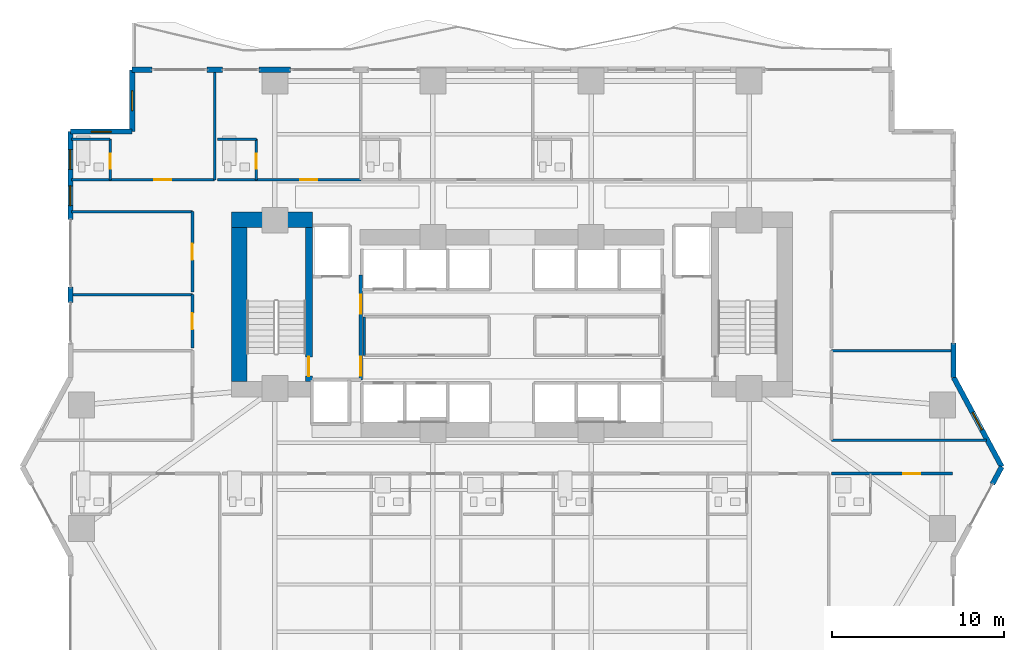
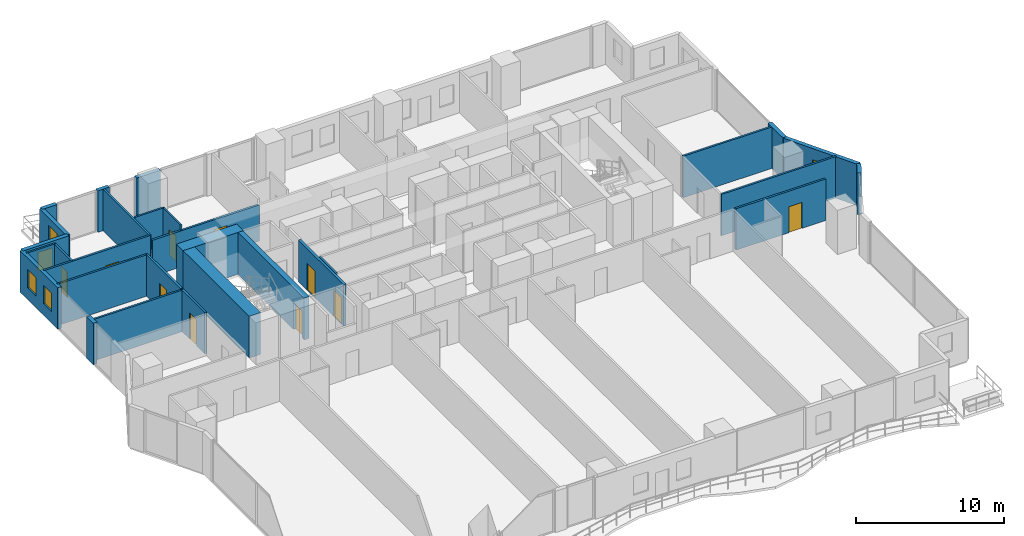
# One storey, part 20 of 29: 29 walls, 10 doors, 5 windows, 15 openings.
"""IFC4 building model written with IfcOpenShell, lengths in metres."""

from ifc_helpers import new_model, si_unit, direction, frame, frame_2d, origin, place, context, subcontext, project, spatial, rectangle, extrude, material, layer, layer_set, type_object, element, fill, save


model = new_model("IFC4")

# Units and contexts
model_context = context("Model", 3, precision=1e-05, world=origin(), true_north=direction((0.0, 1.0)))
body_context = subcontext(model_context, "Body", "Model", "MODEL_VIEW")
ifc_project = project(units=[si_unit("LENGTHUNIT", "METRE"), si_unit("AREAUNIT", "SQUARE_METRE"), si_unit("VOLUMEUNIT", "CUBIC_METRE"), si_unit("PLANEANGLEUNIT", "RADIAN"), si_unit("MASSUNIT", "GRAM", prefix="KILO")], contexts=[model_context])

# Site, building, storey
site_placement = place(None, origin())
site = spatial("IfcSite", under=ifc_project, at=site_placement, CompositionType="ELEMENT")
building_placement = place(site_placement, origin())
building = spatial("IfcBuilding", under=site, at=building_placement, Name="Zuhayl Quay Hotel", CompositionType="ELEMENT")
storey_placement = place(building_placement, frame((0.0, 0.0, 45.85009765625)))
storey = spatial("IfcBuildingStorey", under=building, at=storey_placement, Name="L10", CompositionType="ELEMENT", Elevation=45.85009765625)

# Walls
ifc_material_1 = material(Name="Concrete C70/85", Category="concrete")
ifc_layer_1 = layer(ifc_material_1, 0.89990234375, Name="Concrete C70/85", Category="concrete")
ifc_layer_set_1 = layer_set([ifc_layer_1], Name="Concrete C70/85")
wall_type_1 = type_object("IfcWallType", Name="WL_CORE_900", PredefinedType="SHEAR", material=ifc_layer_set_1)
wall_1_placement = place(storey_placement, frame((-16.31005859375, 14.3798828125, 0.0), z_axis=(0.0, 0.0, 1.0), x_axis=(1.0, 0.0, 0.0)))
element("IfcWall", 1, at=wall_1_placement, inside=storey, type_object=wall_type_1, Name="L10 Core Shear Wall CW_NW", PredefinedType="SHEAR", context=body_context, shape_type="SweptSolid", body=[
    extrude(rectangle(XDim=4.7099609375, YDim=0.89990234375, at=frame_2d((2.35498046875, 0.0))), origin(), (0.0, 0.0, 1.0), 3.4599609375),
])
wall_2_placement = place(storey_placement, frame((-15.860107421875, 4.969970703125, 0.0), z_axis=(0.0, 0.0, 1.0), x_axis=(0.0, 1.0, 0.0)))
element("IfcWall", 2, at=wall_2_placement, inside=storey, type_object=wall_type_1, Name="L10 Core Shear Wall CW_W", PredefinedType="SHEAR", context=body_context, shape_type="SweptSolid", body=[
    extrude(rectangle(XDim=8.9599609375, YDim=0.89990234375, at=frame_2d((4.47998046875, 0.0))), origin(), (0.0, 0.0, 1.0), 3.4599609375),
])
ifc_material_2 = material(Name="Precast concrete C45/55", Category="concrete")
ifc_layer_2 = layer(ifc_material_2, 0.300048828125, Name="Precast concrete C45/55", Category="concrete")
ifc_layer_set_2 = layer_set([ifc_layer_2], Name="Precast concrete C45/55")
wall_type_2 = type_object("IfcWallType", Name="WL_EXT_300", PredefinedType="STANDARD", material=ifc_layer_set_2)
wall_3_placement = place(storey_placement, frame((-25.699951171875, 9.570068359375, 0.0), z_axis=(0.0, 0.0, 1.0), x_axis=(0.0, 1.0, 0.0)))
element("IfcWall", 3, at=wall_3_placement, inside=storey, type_object=wall_type_2, Name="L10 Exterior Precast Wall ENV_L10_E05_EW2", PredefinedType="STANDARD", context=body_context, shape_type="SweptSolid", body=[
    extrude(rectangle(XDim=0.89990234375, YDim=0.300048828125, at=frame_2d((0.449951171875, 0.0))), origin(), (0.0, 0.0, 1.0), 3.429931640625),
])

# Wall, openings, windows
wall_4_placement = place(storey_placement, frame((-25.699951171875, 14.39990234375, 0.0), z_axis=(0.0, 0.0, 1.0), x_axis=(0.0, 1.0, 0.0)))
wall_4 = element("IfcWall", 4, at=wall_4_placement, inside=storey, type_object=wall_type_2, Name="L10 Exterior Precast Wall ENV_L10_E05_EW3", PredefinedType="STANDARD", context=body_context, shape_type="SweptSolid", body=[
    extrude(rectangle(XDim=5.10009765625, YDim=0.300048828125, at=frame_2d((2.550048828125, 0.0))), origin(), (0.0, 0.0, 1.0), 3.429931640625),
])
opening_1_placement = place(wall_4_placement, frame((0.800048828125, 0.0, 0.949951171875)))
opening_1 = element("IfcOpeningElement", 5, at=opening_1_placement, cuts=wall_4, Name="Opening W01N", PredefinedType="OPENING", context=body_context, shape_type="SweptSolid", body=[
    extrude(rectangle(XDim=1.14990234375, YDim=1.550048828125, at=frame_2d((0.574951171875, 0.77490234375))), frame((0.0, 0.159912109375, 0.0), z_axis=(0.0, -1.0, 0.0), x_axis=(1.0, 0.0, 0.0)), (0.0, 0.0, 1.0), 0.320068359375),
])
opening_2_placement = place(wall_4_placement, frame((2.905029296875, 0.0, 0.949951171875)))
opening_2 = element("IfcOpeningElement", 6, at=opening_2_placement, cuts=wall_4, Name="Opening W01N", PredefinedType="OPENING", context=body_context, shape_type="SweptSolid", body=[
    extrude(rectangle(XDim=1.14990234375, YDim=1.550048828125, at=frame_2d((0.574951171875, 0.77490234375))), frame((0.0, 0.159912109375, 0.0), z_axis=(0.0, -1.0, 0.0), x_axis=(1.0, 0.0, 0.0)), (0.0, 0.0, 1.0), 0.320068359375),
])
ifc_material_3 = material(Name="Dark Ceramic-Fritted Solar Glass", Category="glass")
window_type = type_object("IfcWindowType", Name="WN_NOTCH_1350", PartitioningType="SINGLE_PANEL", PredefinedType="WINDOW", material=ifc_material_3)
window_1_placement = place(opening_1_placement, origin())
window_1 = element("IfcWindow", 7, at=window_1_placement, inside=storey, type_object=window_type, Name="L10 Operable Facade Window 3-1", OverallHeight=1.550048828125, OverallWidth=1.14990234375, PartitioningType="SINGLE_PANEL", PredefinedType="WINDOW", context=body_context, shape_type="SweptSolid", body=[
    extrude(rectangle(XDim=1.14990234375, YDim=1.550048828125, at=frame_2d((0.574951171875, 0.77490234375))), frame((0.0, 0.030029296875, 0.0), z_axis=(0.0, -1.0, 0.0), x_axis=(1.0, 0.0, 0.0)), (0.0, 0.0, 1.0), 0.06005859375),
])
fill(opening_1, window_1)
window_2_placement = place(opening_2_placement, origin())
window_2 = element("IfcWindow", 8, at=window_2_placement, inside=storey, type_object=window_type, Name="L10 Operable Facade Window 3-2", OverallHeight=1.550048828125, OverallWidth=1.14990234375, PartitioningType="SINGLE_PANEL", PredefinedType="WINDOW", context=body_context, shape_type="SweptSolid", body=[
    extrude(rectangle(XDim=1.14990234375, YDim=1.550048828125, at=frame_2d((0.574951171875, 0.77490234375))), frame((0.0, 0.030029296875, 0.0), z_axis=(0.0, -1.0, 0.0), x_axis=(1.0, 0.0, 0.0)), (0.0, 0.0, 1.0), 0.06005859375),
])
fill(opening_2, window_2)

# Wall, opening, window
wall_5_placement = place(storey_placement, frame((-25.699951171875, 19.5, 0.0), z_axis=(0.0, 0.0, 1.0), x_axis=(1.0, 0.0, 0.0)))
wall_5 = element("IfcWall", 9, at=wall_5_placement, inside=storey, type_object=wall_type_2, Name="L10 Exterior Precast Wall ENV_L10_EW06", PredefinedType="STANDARD", context=body_context, shape_type="SweptSolid", body=[
    extrude(rectangle(XDim=3.599853515625, YDim=0.300048828125, at=frame_2d((1.7998046875, 0.0))), origin(), (0.0, 0.0, 1.0), 3.429931640625),
])
opening_3_placement = place(wall_5_placement, frame((1.22509765625, 0.0, 1.25)))
opening_3 = element("IfcOpeningElement", 10, at=opening_3_placement, cuts=wall_5, Name="Opening W01N", PredefinedType="OPENING", context=body_context, shape_type="SweptSolid", body=[
    extrude(rectangle(XDim=1.14990234375, YDim=1.550048828125, at=frame_2d((0.574951171875, 0.77490234375))), frame((0.0, 0.159912109375, 0.0), z_axis=(0.0, -1.0, 0.0), x_axis=(1.0, 0.0, 0.0)), (0.0, 0.0, 1.0), 0.320068359375),
])
window_3_placement = place(opening_3_placement, origin())
window_3 = element("IfcWindow", 11, at=window_3_placement, inside=storey, type_object=window_type, Name="L10 Corner Notch Window 6", OverallHeight=1.550048828125, OverallWidth=1.14990234375, PartitioningType="SINGLE_PANEL", PredefinedType="WINDOW", context=body_context, shape_type="SweptSolid", body=[
    extrude(rectangle(XDim=1.14990234375, YDim=1.550048828125, at=frame_2d((0.574951171875, 0.77490234375))), frame((0.0, 0.030029296875, 0.0), z_axis=(0.0, -1.0, 0.0), x_axis=(1.0, 0.0, 0.0)), (0.0, 0.0, 1.0), 0.06005859375),
])
fill(opening_3, window_3)

wall_6_placement = place(storey_placement, frame((-22.10009765625, 19.5, 0.0), z_axis=(0.0, 0.0, 1.0), x_axis=(0.0, 1.0, 0.0)))
wall_6 = element("IfcWall", 12, at=wall_6_placement, inside=storey, type_object=wall_type_2, Name="L10 Exterior Precast Wall ENV_L10_EW07", PredefinedType="STANDARD", context=body_context, shape_type="SweptSolid", body=[
    extrude(rectangle(XDim=3.60009765625, YDim=0.300048828125, at=frame_2d((1.800048828125, 0.0))), origin(), (0.0, 0.0, 1.0), 3.429931640625),
])
opening_4_placement = place(wall_6_placement, frame((1.22509765625, 0.0, 1.25)))
opening_4 = element("IfcOpeningElement", 13, at=opening_4_placement, cuts=wall_6, Name="Opening W01N", PredefinedType="OPENING", context=body_context, shape_type="SweptSolid", body=[
    extrude(rectangle(XDim=1.14990234375, YDim=1.550048828125, at=frame_2d((0.574951171875, 0.77490234375))), frame((0.0, 0.159912109375, 0.0), z_axis=(0.0, -1.0, 0.0), x_axis=(1.0, 0.0, 0.0)), (0.0, 0.0, 1.0), 0.320068359375),
])
window_4_placement = place(opening_4_placement, origin())
window_4 = element("IfcWindow", 14, at=window_4_placement, inside=storey, type_object=window_type, Name="L10 Corner Notch Window 7", OverallHeight=1.550048828125, OverallWidth=1.14990234375, PartitioningType="SINGLE_PANEL", PredefinedType="WINDOW", context=body_context, shape_type="SweptSolid", body=[
    extrude(rectangle(XDim=1.14990234375, YDim=1.550048828125, at=frame_2d((0.574951171875, 0.77490234375))), frame((0.0, 0.030029296875, 0.0), z_axis=(0.0, -1.0, 0.0), x_axis=(1.0, 0.0, 0.0)), (0.0, 0.0, 1.0), 0.06005859375),
])
fill(opening_4, window_4)

# Walls
wall_7_placement = place(storey_placement, frame((-22.10009765625, 23.10009765625, 0.0), z_axis=(0.0, 0.0, 1.0), x_axis=(1.0, 0.0, 0.0)))
element("IfcWall", 15, at=wall_7_placement, inside=storey, type_object=wall_type_2, Name="L10 Exterior Precast Wall ENV_L10_N_EW1", PredefinedType="STANDARD", context=body_context, shape_type="SweptSolid", body=[
    extrude(rectangle(XDim=1.150146484375, YDim=0.300048828125, at=frame_2d((0.5751953125, 0.0))), origin(), (0.0, 0.0, 1.0), 3.429931640625),
])
wall_8_placement = place(storey_placement, frame((-17.75, 23.10009765625, 0.0), z_axis=(0.0, 0.0, 1.0), x_axis=(1.0, 0.0, 0.0)))
element("IfcWall", 16, at=wall_8_placement, inside=storey, type_object=wall_type_2, Name="L10 Exterior Precast Wall ENV_L10_N_EW2", PredefinedType="STANDARD", context=body_context, shape_type="SweptSolid", body=[
    extrude(rectangle(XDim=0.89990234375, YDim=0.300048828125, at=frame_2d((0.449951171875, 0.0))), origin(), (0.0, 0.0, 1.0), 3.429931640625),
])
wall_9_placement = place(storey_placement, frame((-14.719970703125, 23.10009765625, 0.0), z_axis=(0.0, 0.0, 1.0), x_axis=(1.0, 0.0, 0.0)))
element("IfcWall", 17, at=wall_9_placement, inside=storey, type_object=wall_type_2, Name="L10 Exterior Precast Wall ENV_L10_N_EW3", PredefinedType="STANDARD", context=body_context, shape_type="SweptSolid", body=[
    extrude(rectangle(XDim=1.840087890625, YDim=0.300048828125, at=frame_2d((0.919921875, 0.0))), origin(), (0.0, 0.0, 1.0), 3.429931640625),
])
wall_10_placement = place(storey_placement, frame((25.699951171875, 7.199951171875, 0.0), z_axis=(0.0, 0.0, 1.0), x_axis=(0.0, -1.0, 0.0)))
element("IfcWall", 18, at=wall_10_placement, inside=storey, type_object=wall_type_2, Name="L10 Exterior Precast Wall ENV_L10_E11_EW2", PredefinedType="STANDARD", context=body_context, shape_type="SweptSolid", body=[
    extrude(rectangle(XDim=2.0, YDim=0.300048828125, at=frame_2d((1.0, 0.0))), origin(), (0.0, 0.0, 1.0), 3.429931640625),
])

# Wall, opening, window
wall_11_placement = place(storey_placement, frame((25.699951171875, 5.199951171875, 0.0), z_axis=(0.0, 0.0, 1.0), x_axis=(0.474109683532, -0.880465790352, 0.0)))
wall_11 = element("IfcWall", 19, at=wall_11_placement, inside=storey, type_object=wall_type_2, Name="L10 Exterior Precast Wall ENV_L10_E12_EW1", PredefinedType="STANDARD", context=body_context, shape_type="SweptSolid", body=[
    extrude(rectangle(XDim=5.906005859375, YDim=0.300048828125, at=frame_2d((2.953125, 0.0))), origin(), (0.0, 0.0, 1.0), 3.429931640625),
])
opening_5_placement = place(wall_11_placement, frame((2.32373046875, 0.0, 0.949951171875)))
opening_5 = element("IfcOpeningElement", 20, at=opening_5_placement, cuts=wall_11, Name="Opening W01N", PredefinedType="OPENING", context=body_context, shape_type="SweptSolid", body=[
    extrude(rectangle(XDim=1.14990234375, YDim=1.550048828125, at=frame_2d((0.574951171875, 0.77490234375))), frame((0.0, 0.159912109375, 0.0), z_axis=(0.0, -1.0, 0.0), x_axis=(1.0, 0.0, 0.0)), (0.0, 0.0, 1.0), 0.320068359375),
])
window_5_placement = place(opening_5_placement, origin())
window_5 = element("IfcWindow", 21, at=window_5_placement, inside=storey, type_object=window_type, Name="L10 Operable Facade Window 1-1", OverallHeight=1.550048828125, OverallWidth=1.14990234375, PartitioningType="SINGLE_PANEL", PredefinedType="WINDOW", context=body_context, shape_type="SweptSolid", body=[
    extrude(rectangle(XDim=1.14990234375, YDim=1.550048828125, at=frame_2d((0.574951171875, 0.77490234375))), frame((0.0, 0.030029296875, 0.0), z_axis=(0.0, -1.0, 0.0), x_axis=(1.0, 0.0, 0.0)), (0.0, 0.0, 1.0), 0.06005859375),
])
fill(opening_5, window_5)

# Walls
wall_12_placement = place(storey_placement, frame((28.5, 0.0, 0.0), z_axis=(0.0, 0.0, 1.0), x_axis=(-0.474099823035, -0.880471099922, 0.0)))
element("IfcWall", 22, at=wall_12_placement, inside=storey, type_object=wall_type_2, Name="L10 Exterior Precast Wall ENV_L10_E13_EW1", PredefinedType="STANDARD", context=body_context, shape_type="SweptSolid", body=[
    extrude(rectangle(XDim=1.14990234375, YDim=0.300048828125, at=frame_2d((0.574951171875, 0.0))), origin(), (0.0, 0.0, 1.0), 3.429931640625),
])
ifc_material_4 = material(Name="Acoustic Gypsum Partition STC-58")
ifc_layer_3 = layer(ifc_material_4, 0.14990234375, Name="Acoustic Gypsum Partition STC-58")
ifc_layer_set_3 = layer_set([ifc_layer_3], Name="Acoustic Gypsum Partition STC-58")
wall_type_3 = type_object("IfcWallType", Name="WL_PART_150", PredefinedType="PARTITIONING", material=ifc_layer_set_3)
wall_13_placement = place(storey_placement, frame((-8.610107421875, 6.47998046875, 0.0), z_axis=(0.0, 0.0, 1.0), x_axis=(0.0, 1.0, 0.0)))
element("IfcWall", 23, at=wall_13_placement, inside=storey, type_object=wall_type_3, Name="L10 Partition IW_L10_CORE_EL_W", PredefinedType="PARTITIONING", context=body_context, shape_type="SweptSolid", body=[
    extrude(rectangle(XDim=2.239990234375, YDim=0.14990234375, at=frame_2d((1.1201171875, 0.0))), origin(), (0.0, 0.0, 1.0), 3.429931640625),
])
wall_14_placement = place(storey_placement, frame((-17.300048828125, 16.699951171875, 0.0), z_axis=(0.0, 0.0, 1.0), x_axis=(0.0, 1.0, 0.0)))
element("IfcWall", 24, at=wall_14_placement, inside=storey, type_object=wall_type_3, Name="L10 Partition IW_L10_NU01A_E", PredefinedType="PARTITIONING", context=body_context, shape_type="SweptSolid", body=[
    extrude(rectangle(XDim=6.320068359375, YDim=0.14990234375, at=frame_2d((3.16015625, 0.0))), origin(), (0.0, 0.0, 1.0), 3.429931640625),
])
wall_15_placement = place(storey_placement, frame((18.60009765625, 1.550048828125, 0.0), z_axis=(0.0, 0.0, 1.0), x_axis=(1.0, 0.0, 0.0)))
element("IfcWall", 25, at=wall_15_placement, inside=storey, type_object=wall_type_3, Name="L10 Partition IW_L10_HK_MAIN_S", PredefinedType="PARTITIONING", context=body_context, shape_type="SweptSolid", body=[
    extrude(rectangle(XDim=9.00537109375, YDim=0.14990234375, at=frame_2d((4.502685546875, 0.0))), origin(), (0.0, 0.0, 1.0), 3.429931640625),
])
for number, where, z_axis, x_axis, name in (
    (26, (18.60009765625, 6.75, 0.0), (0.0, 0.0, 1.0), (1.0, 0.0, 0.0), "L10 Partition IW_L10_HK_MAIN_N"),
    (27, (-25.639892578125, 10.02001953125, 0.0), (0.0, 0.0, 1.0), (1.0, 0.0, 0.0), "L10 Partition IW_L10_WPROW_2_N"),
    (28, (-25.639892578125, 14.85009765625, 0.0), (0.0, 0.0, 1.0), (1.0, 0.0, 0.0), "L10 Partition IW_L10_WPROW_3_N"),
):
    element("IfcWall", number, at=place(storey_placement, frame(where, z_axis=z_axis, x_axis=x_axis)), inside=storey, type_object=wall_type_3, Name=name, PredefinedType="PARTITIONING", context=body_context, shape_type="SweptSolid", body=[
        extrude(rectangle(XDim=7.039794921875, YDim=0.14990234375, at=frame_2d((3.52001953125, 0.0))), origin(), (0.0, 0.0, 1.0), 3.429931640625),
    ])

# Wall, opening, door
ifc_layer_4 = layer(ifc_material_4, 0.159912109375, Name="Acoustic Gypsum Partition STC-58")
ifc_layer_set_4 = layer_set([ifc_layer_4], Name="Acoustic Gypsum Partition STC-58")
wall_type_4 = type_object("IfcWallType", Name="WL_PART_CORR_160", PredefinedType="PARTITIONING", material=ifc_layer_set_4)
wall_16_placement = place(storey_placement, frame((-25.639892578125, 16.699951171875, 0.0), z_axis=(0.0, 0.0, 1.0), x_axis=(1.0, 0.0, 0.0)))
wall_16 = element("IfcWall", 29, at=wall_16_placement, inside=storey, type_object=wall_type_4, Name="L10 Partition IW_L10_NU01A_COR", PredefinedType="PARTITIONING", context=body_context, shape_type="SweptSolid", body=[
    extrude(rectangle(XDim=8.33984375, YDim=0.159912109375, at=frame_2d((4.169921875, 0.0))), origin(), (0.0, 0.0, 1.0), 3.429931640625),
])
opening_6_placement = place(wall_16_placement, frame((4.820068359375, 0.0, 0.0)))
opening_6 = element("IfcOpeningElement", 30, at=opening_6_placement, cuts=wall_16, Name="Opening D03L", PredefinedType="OPENING", context=body_context, shape_type="SweptSolid", body=[
    extrude(rectangle(XDim=1.0, YDim=2.14990234375, at=frame_2d((0.5, 1.074951171875))), frame((0.0, 0.08984375, 0.0), z_axis=(0.0, -1.0, 0.0), x_axis=(1.0, 0.0, 0.0)), (0.0, 0.0, 1.0), 0.179931640625),
])
ifc_material_5 = material(Name="Solid Walnut Acoustic Fire Door")
door_type_1 = type_object("IfcDoorType", Name="DR_SUITE_1000", OperationType="NOTDEFINED", PredefinedType="DOOR", material=ifc_material_5)
door_1_placement = place(opening_6_placement, origin())
door_1 = element("IfcDoor", 31, at=door_1_placement, inside=storey, type_object=door_type_1, Name="L10 Deluxe Gulf Guest Room L10-01A Entrance Door", OperationType="SINGLE_SWING_LEFT", OverallHeight=2.14990234375, OverallWidth=1.0, PredefinedType="DOOR", context=body_context, shape_type="SweptSolid", body=[
    extrude(rectangle(XDim=1.0, YDim=2.14990234375, at=frame_2d((0.5, 1.074951171875))), frame((0.0, 0.02490234375, 0.0), z_axis=(0.0, -1.0, 0.0), x_axis=(1.0, 0.0, 0.0)), (0.0, 0.0, 1.0), 0.050048828125),
])
fill(opening_6, door_1)

wall_17_placement = place(storey_placement, frame((-17.139892578125, 16.699951171875, 0.0), z_axis=(0.0, 0.0, 1.0), x_axis=(1.0, 0.0, 0.0)))
wall_17 = element("IfcWall", 32, at=wall_17_placement, inside=storey, type_object=wall_type_4, Name="L10 Partition IW_L10_NU01B_COR", PredefinedType="PARTITIONING", context=body_context, shape_type="SweptSolid", body=[
    extrude(rectangle(XDim=8.33984375, YDim=0.159912109375, at=frame_2d((4.169921875, 0.0))), origin(), (0.0, 0.0, 1.0), 2.972900390625),
])
opening_7_placement = place(wall_17_placement, frame((4.820068359375, 0.0, 0.0)))
opening_7 = element("IfcOpeningElement", 33, at=opening_7_placement, cuts=wall_17, Name="Opening D03L", PredefinedType="OPENING", context=body_context, shape_type="SweptSolid", body=[
    extrude(rectangle(XDim=1.0, YDim=2.14990234375, at=frame_2d((0.5, 1.074951171875))), frame((0.0, 0.08984375, 0.0), z_axis=(0.0, -1.0, 0.0), x_axis=(1.0, 0.0, 0.0)), (0.0, 0.0, 1.0), 0.179931640625),
])
door_2_placement = place(opening_7_placement, origin())
door_2 = element("IfcDoor", 34, at=door_2_placement, inside=storey, type_object=door_type_1, Name="L10 Deluxe Gulf Guest Room L10-01B Entrance Door", OperationType="SINGLE_SWING_LEFT", OverallHeight=2.14990234375, OverallWidth=1.0, PredefinedType="DOOR", context=body_context, shape_type="SweptSolid", body=[
    extrude(rectangle(XDim=1.0, YDim=2.14990234375, at=frame_2d((0.5, 1.074951171875))), frame((0.0, 0.02490234375, 0.0), z_axis=(0.0, -1.0, 0.0), x_axis=(1.0, 0.0, 0.0)), (0.0, 0.0, 1.0), 0.050048828125),
])
fill(opening_7, door_2)

wall_18_placement = place(storey_placement, frame((18.60009765625, -0.39990234375, 0.0), z_axis=(0.0, 0.0, 1.0), x_axis=(1.0, 0.0, 0.0)))
wall_18 = element("IfcWall", 35, at=wall_18_placement, inside=storey, type_object=wall_type_4, Name="L10 Partition IW_L10_SU04B_COR", PredefinedType="PARTITIONING", context=body_context, shape_type="SweptSolid", body=[
    extrude(rectangle(XDim=7.039794921875, YDim=0.159912109375, at=frame_2d((3.52001953125, 0.0))), origin(), (0.0, 0.0, 1.0), 3.429931640625),
])
opening_8_placement = place(wall_18_placement, frame((4.169921875, 0.0, 0.0)))
opening_8 = element("IfcOpeningElement", 36, at=opening_8_placement, cuts=wall_18, Name="Opening D03L", PredefinedType="OPENING", context=body_context, shape_type="SweptSolid", body=[
    extrude(rectangle(XDim=1.0, YDim=2.14990234375, at=frame_2d((0.5, 1.074951171875))), frame((0.0, 0.08984375, 0.0), z_axis=(0.0, -1.0, 0.0), x_axis=(1.0, 0.0, 0.0)), (0.0, 0.0, 1.0), 0.179931640625),
])
door_3_placement = place(opening_8_placement, origin())
door_3 = element("IfcDoor", 37, at=door_3_placement, inside=storey, type_object=door_type_1, Name="L10 City-View Junior Suite L10-04B Entrance Door", OperationType="SINGLE_SWING_RIGHT", OverallHeight=2.14990234375, OverallWidth=1.0, PredefinedType="DOOR", context=body_context, shape_type="SweptSolid", body=[
    extrude(rectangle(XDim=1.0, YDim=2.14990234375, at=frame_2d((0.5, 1.074951171875))), frame((0.0, 0.02490234375, 0.0), z_axis=(0.0, -1.0, 0.0), x_axis=(1.0, 0.0, 0.0)), (0.0, 0.0, 1.0), 0.050048828125),
])
fill(opening_8, door_3)

wall_19_placement = place(storey_placement, frame((-18.60009765625, 6.909912109375, 0.0), z_axis=(0.0, 0.0, 1.0), x_axis=(0.0, 1.0, 0.0)))
wall_19 = element("IfcWall", 38, at=wall_19_placement, inside=storey, type_object=wall_type_4, Name="L10 Partition IW_L10_WPROW_2_E", PredefinedType="PARTITIONING", context=body_context, shape_type="SweptSolid", body=[
    extrude(rectangle(XDim=3.110107421875, YDim=0.159912109375, at=frame_2d((1.55517578125, 0.0))), origin(), (0.0, 0.0, 1.0), 3.429931640625),
])
opening_9_placement = place(wall_19_placement, frame((1.080078125, 0.0, 0.0)))
opening_9 = element("IfcOpeningElement", 39, at=opening_9_placement, cuts=wall_19, Name="Opening D03", PredefinedType="OPENING", context=body_context, shape_type="SweptSolid", body=[
    extrude(rectangle(XDim=0.949951171875, YDim=2.14990234375, at=frame_2d((0.47509765625, 1.074951171875))), frame((0.0, 0.08984375, 0.0), z_axis=(0.0, -1.0, 0.0), x_axis=(1.0, 0.0, 0.0)), (0.0, 0.0, 1.0), 0.179931640625),
])
door_type_2 = type_object("IfcDoorType", Name="DR_SUITE_950", OperationType="NOTDEFINED", PredefinedType="DOOR", material=ifc_material_5)
door_4_placement = place(opening_9_placement, origin())
door_4 = element("IfcDoor", 40, at=door_4_placement, inside=storey, type_object=door_type_2, Name="L10 Sunset Tea Salon L10 Door", OperationType="SINGLE_SWING_RIGHT", OverallHeight=2.14990234375, OverallWidth=0.949951171875, PredefinedType="DOOR", context=body_context, shape_type="SweptSolid", body=[
    extrude(rectangle(XDim=0.949951171875, YDim=2.14990234375, at=frame_2d((0.47509765625, 1.074951171875))), frame((0.0, 0.02490234375, 0.0), z_axis=(0.0, -1.0, 0.0), x_axis=(1.0, 0.0, 0.0)), (0.0, 0.0, 1.0), 0.050048828125),
])
fill(opening_9, door_4)

wall_20_placement = place(storey_placement, frame((-18.60009765625, 10.179931640625, 0.0), z_axis=(0.0, 0.0, 1.0), x_axis=(0.0, 1.0, 0.0)))
wall_20 = element("IfcWall", 41, at=wall_20_placement, inside=storey, type_object=wall_type_4, Name="L10 Partition IW_L10_WPROW_3_E", PredefinedType="PARTITIONING", context=body_context, shape_type="SweptSolid", body=[
    extrude(rectangle(XDim=4.670166015625, YDim=0.159912109375, at=frame_2d((2.3349609375, 0.0))), origin(), (0.0, 0.0, 1.0), 3.429931640625),
])
opening_10_placement = place(wall_20_placement, frame((1.860107421875, 0.0, 0.0)))
opening_10 = element("IfcOpeningElement", 42, at=opening_10_placement, cuts=wall_20, Name="Opening D03", PredefinedType="OPENING", context=body_context, shape_type="SweptSolid", body=[
    extrude(rectangle(XDim=0.949951171875, YDim=2.14990234375, at=frame_2d((0.47509765625, 1.074951171875))), frame((0.0, 0.08984375, 0.0), z_axis=(0.0, -1.0, 0.0), x_axis=(1.0, 0.0, 0.0)), (0.0, 0.0, 1.0), 0.179931640625),
])
door_5_placement = place(opening_10_placement, origin())
door_5 = element("IfcDoor", 43, at=door_5_placement, inside=storey, type_object=door_type_2, Name="L10 West Horizon Salon L10 Door", OperationType="SINGLE_SWING_LEFT", OverallHeight=2.14990234375, OverallWidth=0.949951171875, PredefinedType="DOOR", context=body_context, shape_type="SweptSolid", body=[
    extrude(rectangle(XDim=0.949951171875, YDim=2.14990234375, at=frame_2d((0.47509765625, 1.074951171875))), frame((0.0, 0.02490234375, 0.0), z_axis=(0.0, -1.0, 0.0), x_axis=(1.0, 0.0, 0.0)), (0.0, 0.0, 1.0), 0.050048828125),
])
fill(opening_10, door_5)

ifc_material_6 = material(Name="Moisture-Resistant Sanitarychase Gypsum")
ifc_layer_5 = layer(ifc_material_6, 0.135009765625, Name="Moisture-Resistant Sanitarychase Gypsum")
ifc_layer_set_5 = layer_set([ifc_layer_5], Name="Moisture-Resistant Sanitarychase Gypsum")
wall_type_5 = type_object("IfcWallType", Name="WL_PART_PLUMB_150", PredefinedType="PLUMBINGWALL", material=ifc_layer_set_5)
wall_21_placement = place(storey_placement, frame((-23.3798828125, 16.699951171875, 0.0), z_axis=(0.0, 0.0, 1.0), x_axis=(0.0, 1.0, 0.0)))
wall_21 = element("IfcWall", 44, at=wall_21_placement, inside=storey, type_object=wall_type_5, Name="L10 Partition IW_L10_NU01A_BE", PredefinedType="PLUMBINGWALL", context=body_context, shape_type="SweptSolid", body=[
    extrude(rectangle(XDim=2.360107421875, YDim=0.135009765625, at=frame_2d((1.18017578125, 0.0))), origin(), (0.0, 0.0, 1.0), 3.429931640625),
])
opening_11_placement = place(wall_21_placement, frame((0.64990234375, 0.0, 0.0)))
opening_11 = element("IfcOpeningElement", 45, at=opening_11_placement, cuts=wall_21, Name="Opening D04", PredefinedType="OPENING", context=body_context, shape_type="SweptSolid", body=[
    extrude(rectangle(XDim=0.85009765625, YDim=2.10009765625, at=frame_2d((0.425048828125, 1.050048828125))), frame((0.0, 0.077392578125, 0.0), z_axis=(0.0, -1.0, 0.0), x_axis=(1.0, 0.0, 0.0)), (0.0, 0.0, 1.0), 0.155029296875),
])
ifc_material_7 = material(Name="Moisture-Resistant Walnut Veneer")
door_type_3 = type_object("IfcDoorType", Name="DR_BATH_850", OperationType="NOTDEFINED", PredefinedType="DOOR", material=ifc_material_7)
door_6_placement = place(opening_11_placement, origin())
door_6 = element("IfcDoor", 46, at=door_6_placement, inside=storey, type_object=door_type_3, Name="L10 Deluxe Gulf Guest Room L10-01A En-Suite Door", OperationType="SINGLE_SWING_RIGHT", OverallHeight=2.10009765625, OverallWidth=0.85009765625, PredefinedType="DOOR", context=body_context, shape_type="SweptSolid", body=[
    extrude(rectangle(XDim=0.85009765625, YDim=2.10009765625, at=frame_2d((0.425048828125, 1.050048828125))), frame((0.0, 0.02490234375, 0.0), z_axis=(0.0, -1.0, 0.0), x_axis=(1.0, 0.0, 0.0)), (0.0, 0.0, 1.0), 0.050048828125),
])
fill(opening_11, door_6)

wall_22_placement = place(storey_placement, frame((-14.8798828125, 16.699951171875, 0.0), z_axis=(0.0, 0.0, 1.0), x_axis=(0.0, 1.0, 0.0)))
wall_22 = element("IfcWall", 47, at=wall_22_placement, inside=storey, type_object=wall_type_5, Name="L10 Partition IW_L10_NU01B_BE", PredefinedType="PLUMBINGWALL", context=body_context, shape_type="SweptSolid", body=[
    extrude(rectangle(XDim=2.360107421875, YDim=0.135009765625, at=frame_2d((1.18017578125, 0.0))), origin(), (0.0, 0.0, 1.0), 3.429931640625),
])
opening_12_placement = place(wall_22_placement, frame((0.64990234375, 0.0, 0.0)))
opening_12 = element("IfcOpeningElement", 48, at=opening_12_placement, cuts=wall_22, Name="Opening D04", PredefinedType="OPENING", context=body_context, shape_type="SweptSolid", body=[
    extrude(rectangle(XDim=0.85009765625, YDim=2.10009765625, at=frame_2d((0.425048828125, 1.050048828125))), frame((0.0, 0.077392578125, 0.0), z_axis=(0.0, -1.0, 0.0), x_axis=(1.0, 0.0, 0.0)), (0.0, 0.0, 1.0), 0.155029296875),
])
door_7_placement = place(opening_12_placement, origin())
door_7 = element("IfcDoor", 49, at=door_7_placement, inside=storey, type_object=door_type_3, Name="L10 Deluxe Gulf Guest Room L10-01B En-Suite Door", OperationType="SINGLE_SWING_RIGHT", OverallHeight=2.10009765625, OverallWidth=0.85009765625, PredefinedType="DOOR", context=body_context, shape_type="SweptSolid", body=[
    extrude(rectangle(XDim=0.85009765625, YDim=2.10009765625, at=frame_2d((0.425048828125, 1.050048828125))), frame((0.0, 0.02490234375, 0.0), z_axis=(0.0, -1.0, 0.0), x_axis=(1.0, 0.0, 0.0)), (0.0, 0.0, 1.0), 0.050048828125),
])
fill(opening_12, door_7)

# Walls
for number, where, z_axis, x_axis, name in (
    (50, (-25.639892578125, 19.06005859375, 0.0), (0.0, 0.0, 1.0), (1.0, 0.0, 0.0), "L10 Partition IW_L10_NU01A_BN"),
    (51, (-17.139892578125, 19.06005859375, 0.0), (0.0, 0.0, 1.0), (1.0, 0.0, 0.0), "L10 Partition IW_L10_NU01B_BN"),
):
    element("IfcWall", number, at=place(storey_placement, frame(where, z_axis=z_axis, x_axis=x_axis)), inside=storey, type_object=wall_type_5, Name=name, PredefinedType="PLUMBINGWALL", context=body_context, shape_type="SweptSolid", body=[
        extrude(rectangle(XDim=2.260009765625, YDim=0.135009765625, at=frame_2d((1.1298828125, 0.0))), origin(), (0.0, 0.0, 1.0), 3.429931640625),
    ])

# Wall, openings, doors
ifc_material_8 = material(Name="Gypsum Fireboard Assembly EI-120")
ifc_layer_6 = layer(ifc_material_8, 0.199951171875, Name="Gypsum Fireboard Assembly EI-120")
ifc_layer_set_6 = layer_set([ifc_layer_6], Name="Gypsum Fireboard Assembly EI-120")
wall_type_6 = type_object("IfcWallType", Name="WL_PART_SHAFT_200", PredefinedType="PARTITIONING", material=ifc_layer_set_6)
wall_23_placement = place(storey_placement, frame((-8.800048828125, 5.050048828125, 0.0), z_axis=(0.0, 0.0, 1.0), x_axis=(0.0, 1.0, 0.0)))
wall_23 = element("IfcWall", 52, at=wall_23_placement, inside=storey, type_object=wall_type_6, Name="L10 Partition IW_L10_FSAE_W_E", PredefinedType="PARTITIONING", context=body_context, shape_type="SweptSolid", body=[
    extrude(rectangle(XDim=6.099853515625, YDim=0.199951171875, at=frame_2d((3.0498046875, 0.0))), origin(), (0.0, 0.0, 1.0), 3.429931640625),
])
opening_13_placement = place(wall_23_placement, frame((0.25, 0.0, 0.0)))
opening_13 = element("IfcOpeningElement", 53, at=opening_13_placement, cuts=wall_23, Name="Opening D02", PredefinedType="OPENING", context=body_context, shape_type="SweptSolid", body=[
    extrude(rectangle(XDim=1.10009765625, YDim=2.199951171875, at=frame_2d((0.550048828125, 1.10009765625))), frame((0.0, 0.10986328125, 0.0), z_axis=(0.0, -1.0, 0.0), x_axis=(1.0, 0.0, 0.0)), (0.0, 0.0, 1.0), 0.219970703125),
])
opening_14_placement = place(wall_23_placement, frame((3.85009765625, 0.0, 0.0)))
opening_14 = element("IfcOpeningElement", 54, at=opening_14_placement, cuts=wall_23, Name="Opening D02", PredefinedType="OPENING", context=body_context, shape_type="SweptSolid", body=[
    extrude(rectangle(XDim=1.10009765625, YDim=2.199951171875, at=frame_2d((0.550048828125, 1.10009765625))), frame((0.0, 0.10986328125, 0.0), z_axis=(0.0, -1.0, 0.0), x_axis=(1.0, 0.0, 0.0)), (0.0, 0.0, 1.0), 0.219970703125),
])
ifc_material_9 = material(Name="Steel ASTM A992 Grade 50", Category="steel")
door_type_4 = type_object("IfcDoorType", Name="DR_FIRE_90_1100", OperationType="NOTDEFINED", PredefinedType="DOOR", material=ifc_material_9)
door_8_placement = place(opening_13_placement, origin())
door_8 = element("IfcDoor", 55, at=door_8_placement, inside=storey, type_object=door_type_4, Name="L10 FSAE Lobby West South Entry Door", OperationType="SINGLE_SWING_LEFT", OverallHeight=2.199951171875, OverallWidth=1.10009765625, PredefinedType="DOOR", context=body_context, shape_type="SweptSolid", body=[
    extrude(rectangle(XDim=1.10009765625, YDim=2.199951171875, at=frame_2d((0.550048828125, 1.10009765625))), frame((0.0, 0.02490234375, 0.0), z_axis=(0.0, -1.0, 0.0), x_axis=(1.0, 0.0, 0.0)), (0.0, 0.0, 1.0), 0.050048828125),
])
fill(opening_13, door_8)
door_9_placement = place(opening_14_placement, origin())
door_9 = element("IfcDoor", 56, at=door_9_placement, inside=storey, type_object=door_type_4, Name="L10 FSAE Lobby West North Entry Door", OperationType="SINGLE_SWING_RIGHT", OverallHeight=2.199951171875, OverallWidth=1.10009765625, PredefinedType="DOOR", context=body_context, shape_type="SweptSolid", body=[
    extrude(rectangle(XDim=1.10009765625, YDim=2.199951171875, at=frame_2d((0.550048828125, 1.10009765625))), frame((0.0, 0.02490234375, 0.0), z_axis=(0.0, -1.0, 0.0), x_axis=(1.0, 0.0, 0.0)), (0.0, 0.0, 1.0), 0.050048828125),
])
fill(opening_14, door_9)

# Wall, opening, door
ifc_material_10 = material(Name="Concrete C60/75", Category="concrete")
ifc_layer_7 = layer(ifc_material_10, 0.39990234375, Name="Concrete C60/75", Category="concrete")
ifc_layer_set_7 = layer_set([ifc_layer_7], Name="Concrete C60/75")
wall_type_7 = type_object("IfcWallType", Name="WL_STAIR_400", PredefinedType="SHEAR", material=ifc_layer_set_7)
wall_24_placement = place(storey_placement, frame((-11.820068359375, 4.969970703125, 0.0), z_axis=(0.0, 0.0, 1.0), x_axis=(0.0, 1.0, 0.0)))
wall_24 = element("IfcWall", 57, at=wall_24_placement, inside=storey, type_object=wall_type_7, Name="L10 Core Shear Wall SW_ST1", PredefinedType="SHEAR", context=body_context, shape_type="SweptSolid", body=[
    extrude(rectangle(XDim=8.9599609375, YDim=0.39990234375, at=frame_2d((4.47998046875, 0.0))), origin(), (0.0, 0.0, 1.0), 3.4599609375),
])
opening_15_placement = place(wall_24_placement, frame((0.31005859375, 0.0, 0.0)))
opening_15 = element("IfcOpeningElement", 58, at=opening_15_placement, cuts=wall_24, Name="Opening D01", PredefinedType="OPENING", context=body_context, shape_type="SweptSolid", body=[
    extrude(rectangle(XDim=1.1201171875, YDim=2.219970703125, at=frame_2d((0.56005859375, 1.10986328125))), frame((0.0, 0.2099609375, 0.0), z_axis=(0.0, -1.0, 0.0), x_axis=(1.0, 0.0, 0.0)), (0.0, 0.0, 1.0), 0.419921875),
])
door_type_5 = type_object("IfcDoorType", Name="DR_STAIR_90_1100", OperationType="NOTDEFINED", PredefinedType="DOOR", material=ifc_material_9)
door_10_placement = place(opening_15_placement, origin())
door_10 = element("IfcDoor", 59, at=door_10_placement, inside=storey, type_object=door_type_5, Name="L10 Smokeproof Exit Stair ST1 Door", OperationType="SINGLE_SWING_LEFT", OverallHeight=2.219970703125, OverallWidth=1.1201171875, PredefinedType="DOOR", context=body_context, shape_type="SweptSolid", body=[
    extrude(rectangle(XDim=1.1201171875, YDim=2.219970703125, at=frame_2d((0.56005859375, 1.10986328125))), frame((0.0, 0.02490234375, 0.0), z_axis=(0.0, -1.0, 0.0), x_axis=(1.0, 0.0, 0.0)), (0.0, 0.0, 1.0), 0.050048828125),
])
fill(opening_15, door_10)

save(model, "model.ifc")
